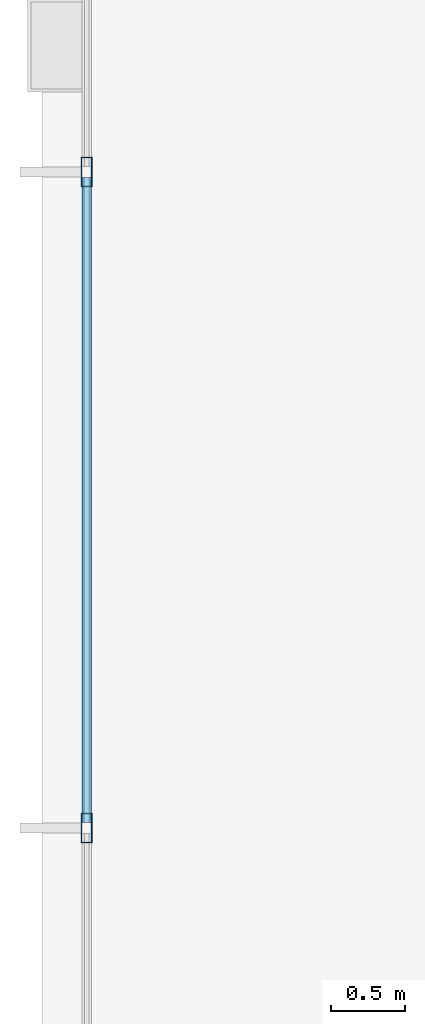
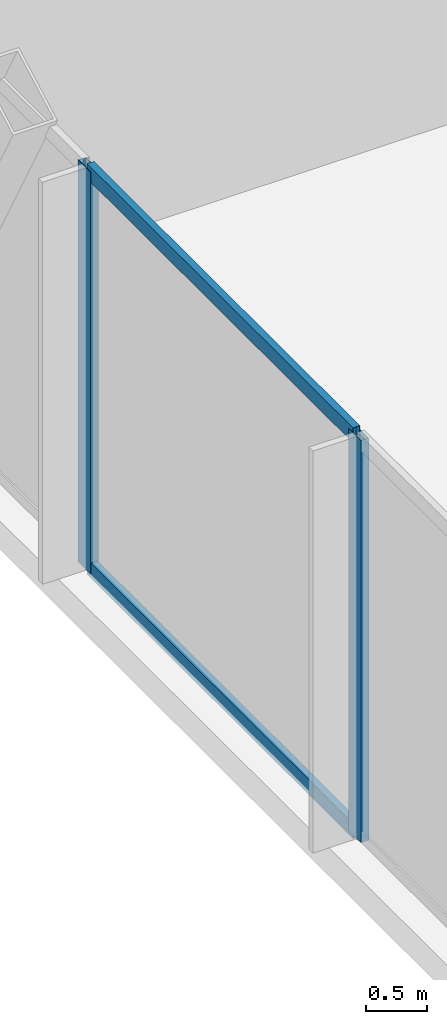
# One storey, part 12 of 42: 4 members, 1 element without a shape of its own.
"""IFC4 building model written with IfcOpenShell, lengths in metres."""

from ifc_helpers import new_model, si_unit, direction, frame, origin, origin_2d, place, context, subcontext, project, spatial, hollow_rectangle, extrude, material, layer, layer_set, material_profile, profile_set, type_object, element, aggregate, save


model = new_model("IFC4")

# Units and contexts
model_context = context("Model", 3, precision=1e-05, world=origin(), true_north=direction((0.0, 1.0)))
body_context = subcontext(model_context, "Body", "Model", "MODEL_VIEW")
ifc_project = project(units=[si_unit("LENGTHUNIT", "METRE"), si_unit("AREAUNIT", "SQUARE_METRE"), si_unit("VOLUMEUNIT", "CUBIC_METRE"), si_unit("PLANEANGLEUNIT", "RADIAN"), si_unit("MASSUNIT", "GRAM", prefix="KILO")], contexts=[model_context])

# Site, building, storey
site_placement = place(None, origin())
site = spatial("IfcSite", under=ifc_project, at=site_placement, CompositionType="ELEMENT")
building_placement = place(site_placement, origin())
building = spatial("IfcBuilding", under=site, at=building_placement, Name="Orvanel Arch Residences", CompositionType="ELEMENT")
storey_placement = place(building_placement, frame((0.0, 0.0, 9.800048828125)))
storey = spatial("IfcBuildingStorey", under=building, at=storey_placement, Name="L02", CompositionType="ELEMENT", Elevation=9.800048828125)

# Curtain wall, members
ifc_material = material(Name="Bronze-anodised aluminium AA6063-T6", Category="aluminium")
ifc_layer = layer(ifc_material, 0.199951171875)
ifc_layer_set = layer_set([ifc_layer], Name="Bronze-anodised aluminium AA6063-T6")
curtain_wall_type = type_object("IfcCurtainWallType", Name="CW1-POD-SYS", PredefinedType="NOTDEFINED", material=ifc_layer_set)
curtain_wall_placement = place(storey_placement, origin())
curtain_wall = element("IfcCurtainWall", 1, at=curtain_wall_placement, inside=storey, type_object=curtain_wall_type, Name="L02 CW1-POD-SYS Unitised Curtain Wall", PredefinedType="NOTDEFINED")
ifc_material_profile_1 = material_profile(ifc_material, hollow_rectangle(XDim=0.074951171875, YDim=0.199951171875, WallThickness=0.0048828125, at=origin_2d()), Name="ALU200x75x5")
ifc_profile_set_1 = profile_set([ifc_material_profile_1], Name="Bronze-anodised aluminium AA6063-T6")
member_type_1 = type_object("IfcMemberType", Name="MUL-200x75", PredefinedType="MULLION", material=ifc_profile_set_1)
member_1_placement = place(storey_placement, frame((1.550048828125, 31.929931640625, 0.0), z_axis=(0.0, 0.0, 1.0), x_axis=(1.0, 0.0, 0.0)))
member_1 = element("IfcMember", 2, at=member_1_placement, type_object=member_type_1, Name="CW-S1 mullion 2", PredefinedType="MULLION", context=body_context, shape_type="SweptSolid", body=[
    extrude(hollow_rectangle(XDim=0.074951171875, YDim=0.199951171875, WallThickness=0.0048828125, at=origin_2d()), origin(), (0.0, 0.0, 1.0), 4.02001953125),
])
member_2_placement = place(storey_placement, frame((1.550048828125, 27.5, 0.0), z_axis=(0.0, 0.0, 1.0), x_axis=(1.0, 0.0, 0.0)))
member_2 = element("IfcMember", 3, at=member_2_placement, type_object=member_type_1, Name="CW-S1 mullion 3", PredefinedType="MULLION", context=body_context, shape_type="SweptSolid", body=[
    extrude(hollow_rectangle(XDim=0.074951171875, YDim=0.199951171875, WallThickness=0.0048828125, at=origin_2d()), origin(), (0.0, 0.0, 1.0), 4.02001953125),
])
ifc_material_profile_2 = material_profile(ifc_material, hollow_rectangle(XDim=0.06494140625, YDim=0.14990234375, WallThickness=0.00390625, at=origin_2d()), Name="ALU150x65x4")
ifc_profile_set_2 = profile_set([ifc_material_profile_2], Name="Bronze-anodised aluminium AA6063-T6")
member_type_2 = type_object("IfcMemberType", Name="TRN-150x65", PredefinedType="USERDEFINED", material=ifc_profile_set_2)
member_3_placement = place(storey_placement, frame((1.550048828125, 31.892578125, 0.032470703125), z_axis=(0.0, -1.0, 0.0), x_axis=(1.0, 0.0, 0.0)))
member_3 = element("IfcMember", 4, at=member_3_placement, type_object=member_type_2, Name="CW-S1 transom 2.1", ObjectType="TRANSOM", PredefinedType="USERDEFINED", context=body_context, shape_type="SweptSolid", body=[
    extrude(hollow_rectangle(XDim=0.06494140625, YDim=0.14990234375, WallThickness=0.00390625, at=origin_2d()), origin(), (0.0, 0.0, 1.0), 4.35498046875),
])
member_4_placement = place(storey_placement, frame((1.550048828125, 31.892578125, 3.987548828125), z_axis=(0.0, -1.0, 0.0), x_axis=(1.0, 0.0, 0.0)))
member_4 = element("IfcMember", 5, at=member_4_placement, type_object=member_type_2, Name="CW-S1 transom 2.2", ObjectType="TRANSOM", PredefinedType="USERDEFINED", context=body_context, shape_type="SweptSolid", body=[
    extrude(hollow_rectangle(XDim=0.06494140625, YDim=0.14990234375, WallThickness=0.00390625, at=origin_2d()), origin(), (0.0, 0.0, 1.0), 4.35498046875),
])
aggregate(curtain_wall, [member_1, member_2, member_3, member_4])

save(model, "model.ifc")
